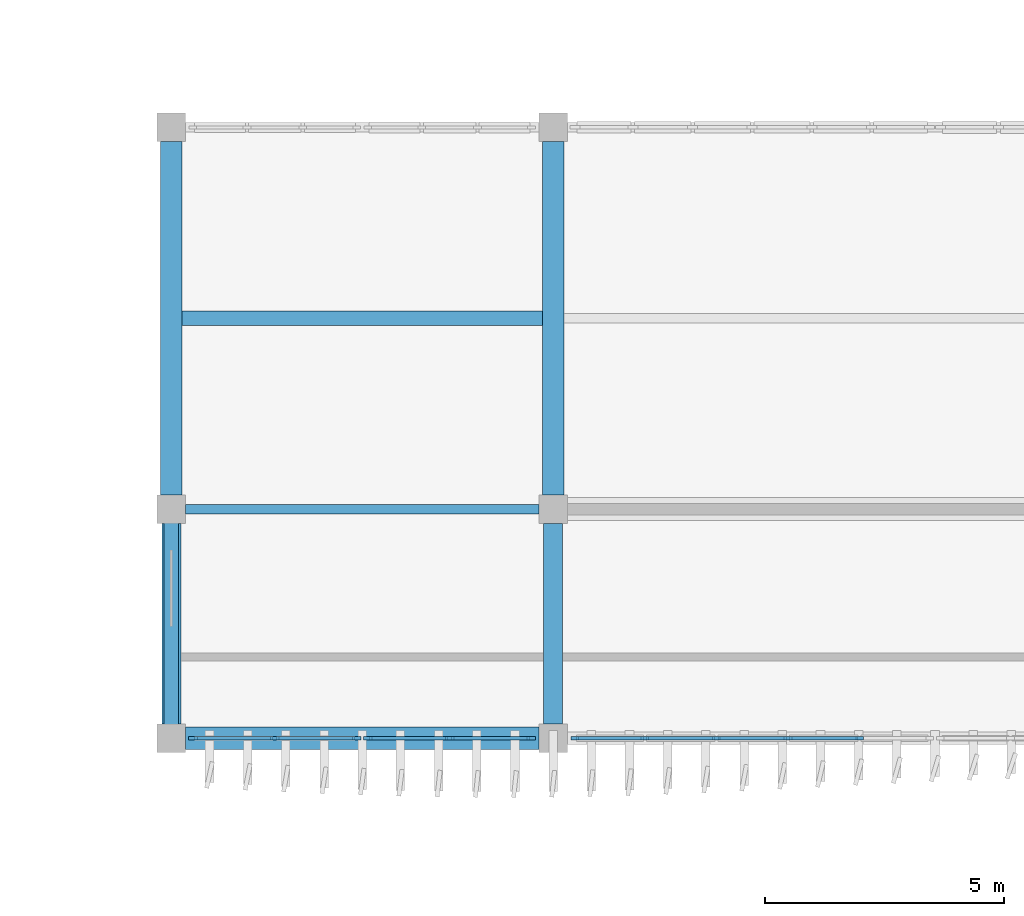
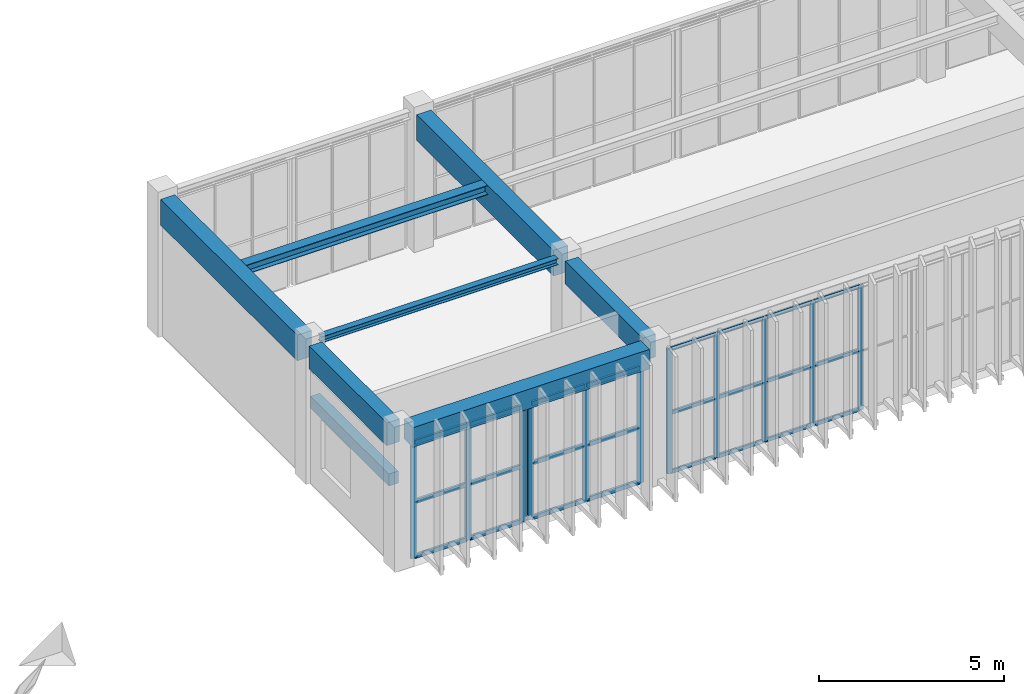
# One storey, part 9 of 64: 35 members, 8 beams, 3 elements without a shape of their own.
"""IFC4 building model written with IfcOpenShell, lengths in metres."""

from ifc_helpers import new_model, si_unit, direction, frame, origin, origin_2d, place, context, subcontext, project, spatial, rectangle, i_section, extrude, material, layer, layer_set, material_profile, profile_set, type_object, element, aggregate, save


model = new_model("IFC4")

# Units and contexts
model_context = context("Model", 3, precision=1e-05, world=origin(), true_north=direction((0.0, 1.0)))
body_context = subcontext(model_context, "Body", "Model", "MODEL_VIEW")
ifc_project = project(units=[si_unit("LENGTHUNIT", "METRE"), si_unit("AREAUNIT", "SQUARE_METRE"), si_unit("VOLUMEUNIT", "CUBIC_METRE"), si_unit("PLANEANGLEUNIT", "RADIAN"), si_unit("MASSUNIT", "GRAM", prefix="KILO")], contexts=[model_context])

# Site, building, storey
site_placement = place(None, origin())
site = spatial("IfcSite", under=ifc_project, at=site_placement, CompositionType="ELEMENT")
building_placement = place(site_placement, origin())
building = spatial("IfcBuilding", under=site, at=building_placement, Name="Cinchona Park Media Centre", CompositionType="ELEMENT")
storey_placement = place(building_placement, frame((0.0, 0.0, 5.39990234375)))
storey = spatial("IfcBuildingStorey", under=building, at=storey_placement, Name="L01", CompositionType="ELEMENT", Elevation=5.39990234375)

# Beams
ifc_material_1 = material(Name="Concrete C35/45", Category="concrete")
ifc_material_profile_1 = material_profile(ifc_material_1, rectangle(XDim=0.39990234375, YDim=0.75, at=origin_2d()), Name="RB 400X750")
ifc_profile_set_1 = profile_set([ifc_material_profile_1], Name="Concrete C35/45")
beam_type_1 = type_object("IfcBeamType", Name="BEAM-B01-RB400X750", PredefinedType="BEAM", material=ifc_profile_set_1)
for number, where, z_axis, x_axis, name in (
    (1, (54.800048828125, 75.10009765625, 4.1650390625), (0.0, 1.0, 0.0), (-1.0, 0.0, 0.0), "Girder B01 L01"),
    (2, (62.800048828125, 75.10009765625, 4.1650390625), (0.0, 1.0, 0.0), (-1.0, 0.0, 0.0), "Girder B01 L01"),
):
    element("IfcBeam", number, at=place(storey_placement, frame(where, z_axis=z_axis, x_axis=x_axis)), inside=storey, type_object=beam_type_1, Name=name, PredefinedType="BEAM", context=body_context, shape_type="SweptSolid", body=[
        extrude(rectangle(XDim=0.39990234375, YDim=0.75, at=origin_2d()), origin(), (0.0, 0.0, 1.0), 4.199951171875),
    ])
ifc_material_2 = material(Name="Concrete C35/45", Category="concrete")
ifc_material_profile_2 = material_profile(ifc_material_2, rectangle(XDim=0.449951171875, YDim=0.85009765625, at=origin_2d()), Name="RB 450X850")
ifc_profile_set_2 = profile_set([ifc_material_profile_2], Name="Concrete C35/45")
beam_type_2 = type_object("IfcBeamType", Name="BEAM-B02-RB450X850", PredefinedType="BEAM", material=ifc_profile_set_2)
for number, where, z_axis, x_axis, name in (
    (3, (54.800048828125, 79.89990234375, 4.114990234375), (0.0, 1.0, 0.0), (-1.0, 0.0, 0.0), "Girder B02 L01"),
    (4, (62.800048828125, 79.89990234375, 4.114990234375), (0.0, 1.0, 0.0), (-1.0, 0.0, 0.0), "Girder B02 L01"),
):
    element("IfcBeam", number, at=place(storey_placement, frame(where, z_axis=z_axis, x_axis=x_axis)), inside=storey, type_object=beam_type_2, Name=name, PredefinedType="BEAM", context=body_context, shape_type="SweptSolid", body=[
        extrude(rectangle(XDim=0.449951171875, YDim=0.85009765625, at=origin_2d()), origin(), (0.0, 0.0, 1.0), 7.400146484375),
    ])
ifc_material_3 = material(Name="Concrete C40/50", Category="concrete")
ifc_material_profile_3 = material_profile(ifc_material_3, rectangle(XDim=0.47998046875, YDim=0.64990234375, at=origin_2d()), Name="RB 480X650")
ifc_profile_set_3 = profile_set([ifc_material_profile_3], Name="Concrete C40/50")
beam_type_3 = type_object("IfcBeamType", Name="BEAM-B07-RB480X650", PredefinedType="BEAM", material=ifc_profile_set_3)
beam_1_placement = place(storey_placement, frame((55.10009765625, 74.800048828125, 4.215087890625), z_axis=(1.0, 0.0, 0.0), x_axis=(0.0, 1.0, 0.0)))
element("IfcBeam", 5, at=beam_1_placement, inside=storey, type_object=beam_type_3, Name="Beam B07 L01", PredefinedType="BEAM", context=body_context, shape_type="SweptSolid", body=[
    extrude(rectangle(XDim=0.47998046875, YDim=0.64990234375, at=origin_2d()), origin(), (0.0, 0.0, 1.0), 7.39990234375),
])
ifc_material_4 = material(Name="Steel S355", Category="steel")
ifc_material_profile_4 = material_profile(ifc_material_4, i_section(OverallWidth=0.202880859375, OverallDepth=0.202880859375, WebThickness=0.007080078125, FlangeThickness=0.010986328125, at=origin_2d()), Name="W200X46")
ifc_profile_set_4 = profile_set([ifc_material_profile_4], Name="Steel S355")
beam_type_4 = type_object("IfcBeamType", Name="BEAM-B10-W200X46", PredefinedType="BEAM", material=ifc_profile_set_4)
beam_2_placement = place(storey_placement, frame((55.10009765625, 79.60009765625, 4.4384765625), z_axis=(1.0, 0.0, 0.0), x_axis=(0.0, 1.0, 0.0)))
element("IfcBeam", 6, at=beam_2_placement, inside=storey, type_object=beam_type_4, Name="Beam B10 L01", PredefinedType="BEAM", context=body_context, shape_type="SweptSolid", body=[
    extrude(i_section(OverallWidth=0.202880859375, OverallDepth=0.202880859375, WebThickness=0.007080078125, FlangeThickness=0.010986328125, at=origin_2d()), origin(), (0.0, 0.0, 1.0), 7.39990234375),
])
ifc_material_5 = material(Name="Steel S355", Category="steel")
ifc_material_profile_5 = material_profile(ifc_material_5, i_section(OverallWidth=0.304931640625, OverallDepth=0.30810546875, WebThickness=0.010009765625, FlangeThickness=0.015380859375, at=origin_2d()), Name="W310X97")
ifc_profile_set_5 = profile_set([ifc_material_profile_5], Name="Steel S355")
beam_type_5 = type_object("IfcBeamType", Name="BEAM-J02-W310X97", PredefinedType="JOIST", material=ifc_profile_set_5)
beam_3_placement = place(storey_placement, frame((55.02490234375, 83.60009765625, 4.385986328125), z_axis=(1.0, 0.0, 0.0), x_axis=(0.0, 1.0, 0.0)))
element("IfcBeam", 7, at=beam_3_placement, inside=storey, type_object=beam_type_5, Name="Floor Joist J02 L01", PredefinedType="JOIST", context=body_context, shape_type="SweptSolid", body=[
    extrude(i_section(OverallWidth=0.304931640625, OverallDepth=0.30810546875, WebThickness=0.010009765625, FlangeThickness=0.015380859375, at=origin_2d()), origin(), (0.0, 0.0, 1.0), 7.550048828125),
])
ifc_material_6 = material(Name="Concrete C35/45", Category="concrete")
ifc_material_profile_6 = material_profile(ifc_material_6, rectangle(XDim=0.300048828125, YDim=0.39990234375, at=origin_2d()), Name="RL 300X400")
ifc_profile_set_6 = profile_set([ifc_material_profile_6], Name="Concrete C35/45")
beam_type_6 = type_object("IfcBeamType", Name="BEAM-LN02-RL300X400", PredefinedType="LINTEL", material=ifc_profile_set_6)
beam_4_placement = place(storey_placement, frame((54.800048828125, 75.080078125, 2.650146484375), z_axis=(0.0, 1.0, 0.0), x_axis=(-1.0, 0.0, 0.0)))
element("IfcBeam", 8, at=beam_4_placement, inside=storey, type_object=beam_type_6, Name="Window Lintel LN02", PredefinedType="LINTEL", context=body_context, shape_type="SweptSolid", body=[
    extrude(rectangle(XDim=0.300048828125, YDim=0.39990234375, at=origin_2d()), origin(), (0.0, 0.0, 1.0), 4.239990234375),
])

# Curtain wall, members
ifc_material_7 = material(Name="Aluminium Curtain Wall Framing", Category="aluminium")
ifc_layer_1 = layer(ifc_material_7, 0.284912109375)
ifc_layer_set_1 = layer_set([ifc_layer_1], Name="Aluminium Curtain Wall Framing")
curtain_wall_type_1 = type_object("IfcCurtainWallType", Name="CW-CW08", PredefinedType="USERDEFINED", material=ifc_layer_set_1)
curtain_wall_1_placement = place(storey_placement, origin())
curtain_wall_1 = element("IfcCurtainWall", 9, at=curtain_wall_1_placement, inside=storey, type_object=curtain_wall_type_1, Name="Curtain Wall CW08 L01", ObjectType="UNITISED CURTAIN WALL", PredefinedType="USERDEFINED")
ifc_material_8 = material(Name="Anodised Aluminium Alloy 6063-T6", Category="aluminium")
ifc_material_profile_7 = material_profile(ifc_material_8, rectangle(XDim=0.06494140625, YDim=0.159912109375, at=origin_2d()), Name="MUL-65X160")
ifc_profile_set_7 = profile_set([ifc_material_profile_7], Name="Anodised Aluminium Alloy 6063-T6")
member_type_1 = type_object("IfcMemberType", Name="MULLION-MUL01", PredefinedType="MULLION", material=ifc_profile_set_7)
member_1_placement = place(storey_placement, frame((69.219970703125, 74.800048828125, 0.050048828125), z_axis=(0.0, 0.0, 1.0), x_axis=(0.0, -1.0, 0.0)))
member_1 = element("IfcMember", 10, at=member_1_placement, type_object=member_type_1, Name="CW08 mullion 2", PredefinedType="MULLION", context=body_context, shape_type="SweptSolid", body=[
    extrude(rectangle(XDim=0.06494140625, YDim=0.159912109375, at=origin_2d()), origin(), (0.0, 0.0, 1.0), 4.126953125),
])
member_2_placement = place(storey_placement, frame((67.719970703125, 74.800048828125, 0.050048828125), z_axis=(0.0, 0.0, 1.0), x_axis=(0.0, -1.0, 0.0)))
member_2 = element("IfcMember", 11, at=member_2_placement, type_object=member_type_1, Name="CW08 mullion 3", PredefinedType="MULLION", context=body_context, shape_type="SweptSolid", body=[
    extrude(rectangle(XDim=0.06494140625, YDim=0.159912109375, at=origin_2d()), origin(), (0.0, 0.0, 1.0), 4.126953125),
])
member_3_placement = place(storey_placement, frame((66.219970703125, 74.800048828125, 0.050048828125), z_axis=(0.0, 0.0, 1.0), x_axis=(0.0, -1.0, 0.0)))
member_3 = element("IfcMember", 12, at=member_3_placement, type_object=member_type_1, Name="CW08 mullion 4", PredefinedType="MULLION", context=body_context, shape_type="SweptSolid", body=[
    extrude(rectangle(XDim=0.06494140625, YDim=0.159912109375, at=origin_2d()), origin(), (0.0, 0.0, 1.0), 4.126953125),
])
member_4_placement = place(storey_placement, frame((64.719970703125, 74.800048828125, 0.050048828125), z_axis=(0.0, 0.0, 1.0), x_axis=(0.0, -1.0, 0.0)))
member_4 = element("IfcMember", 13, at=member_4_placement, type_object=member_type_1, Name="CW08 mullion 5", PredefinedType="MULLION", context=body_context, shape_type="SweptSolid", body=[
    extrude(rectangle(XDim=0.06494140625, YDim=0.159912109375, at=origin_2d()), origin(), (0.0, 0.0, 1.0), 4.126953125),
])
member_5_placement = place(storey_placement, frame((63.25244140625, 74.800048828125, 0.050048828125), z_axis=(0.0, 0.0, 1.0), x_axis=(0.0, -1.0, 0.0)))
member_5 = element("IfcMember", 14, at=member_5_placement, type_object=member_type_1, Name="CW08 mullion 6", PredefinedType="MULLION", context=body_context, shape_type="SweptSolid", body=[
    extrude(rectangle(XDim=0.06494140625, YDim=0.159912109375, at=origin_2d()), origin(), (0.0, 0.0, 1.0), 4.126953125),
])

ifc_material_9 = material(Name="Aluminium Curtain Wall Framing", Category="aluminium")
ifc_layer_2 = layer(ifc_material_9, 0.239990234375)
ifc_layer_set_2 = layer_set([ifc_layer_2], Name="Aluminium Curtain Wall Framing")
curtain_wall_type_2 = type_object("IfcCurtainWallType", Name="CW-CW05", PredefinedType="USERDEFINED", material=ifc_layer_set_2)
curtain_wall_2_placement = place(storey_placement, origin())
curtain_wall_2 = element("IfcCurtainWall", 15, at=curtain_wall_2_placement, inside=storey, type_object=curtain_wall_type_2, Name="Curtain Wall CW05 L01", ObjectType="UNITISED CURTAIN WALL", PredefinedType="USERDEFINED")
ifc_material_10 = material(Name="Anodised Aluminium Alloy 6063-T6", Category="aluminium")
ifc_material_profile_8 = material_profile(ifc_material_10, rectangle(XDim=0.070068359375, YDim=0.179931640625, at=origin_2d()), Name="MUL-70X180")
ifc_profile_set_8 = profile_set([ifc_material_profile_8], Name="Anodised Aluminium Alloy 6063-T6")
member_type_2 = type_object("IfcMemberType", Name="MULLION-MUL02", PredefinedType="MULLION", material=ifc_profile_set_8)
member_6_placement = place(storey_placement, frame((62.344970703125, 74.800048828125, 0.050048828125), z_axis=(0.0, 0.0, 1.0), x_axis=(0.0, -1.0, 0.0)))
member_6 = element("IfcMember", 16, at=member_6_placement, type_object=member_type_2, Name="CW05 mullion 1", PredefinedType="MULLION", context=body_context, shape_type="SweptSolid", body=[
    extrude(rectangle(XDim=0.070068359375, YDim=0.179931640625, at=origin_2d()), origin(), (0.0, 0.0, 1.0), 3.840087890625),
])
member_7_placement = place(storey_placement, frame((60.6298828125, 74.800048828125, 0.050048828125), z_axis=(0.0, 0.0, 1.0), x_axis=(0.0, -1.0, 0.0)))
member_7 = element("IfcMember", 17, at=member_7_placement, type_object=member_type_2, Name="CW05 mullion 2", PredefinedType="MULLION", context=body_context, shape_type="SweptSolid", body=[
    extrude(rectangle(XDim=0.070068359375, YDim=0.179931640625, at=origin_2d()), origin(), (0.0, 0.0, 1.0), 3.840087890625),
])
member_8_placement = place(storey_placement, frame((58.9150390625, 74.800048828125, 0.050048828125), z_axis=(0.0, 0.0, 1.0), x_axis=(0.0, -1.0, 0.0)))
member_8 = element("IfcMember", 18, at=member_8_placement, type_object=member_type_2, Name="CW05 mullion 3", PredefinedType="MULLION", context=body_context, shape_type="SweptSolid", body=[
    extrude(rectangle(XDim=0.070068359375, YDim=0.179931640625, at=origin_2d()), origin(), (0.0, 0.0, 1.0), 3.840087890625),
])

ifc_material_11 = material(Name="Aluminium Curtain Wall Framing", Category="aluminium")
ifc_layer_3 = layer(ifc_material_11, 0.2548828125)
ifc_layer_set_3 = layer_set([ifc_layer_3], Name="Aluminium Curtain Wall Framing")
curtain_wall_type_3 = type_object("IfcCurtainWallType", Name="CW-CW06", PredefinedType="USERDEFINED", material=ifc_layer_set_3)
curtain_wall_3_placement = place(storey_placement, origin())
curtain_wall_3 = element("IfcCurtainWall", 19, at=curtain_wall_3_placement, inside=storey, type_object=curtain_wall_type_3, Name="Curtain Wall CW06 L01", ObjectType="UNITISED CURTAIN WALL", PredefinedType="USERDEFINED")
member_9_placement = place(storey_placement, frame((58.68505859375, 74.800048828125, 0.050048828125), z_axis=(0.0, 0.0, 1.0), x_axis=(0.0, -1.0, 0.0)))
member_9 = element("IfcMember", 20, at=member_9_placement, type_object=member_type_2, Name="CW06 mullion 1", PredefinedType="MULLION", context=body_context, shape_type="SweptSolid", body=[
    extrude(rectangle(XDim=0.070068359375, YDim=0.179931640625, at=origin_2d()), origin(), (0.0, 0.0, 1.0), 3.840087890625),
])
member_10_placement = place(storey_placement, frame((56.969970703125, 74.800048828125, 0.050048828125), z_axis=(0.0, 0.0, 1.0), x_axis=(0.0, -1.0, 0.0)))
member_10 = element("IfcMember", 21, at=member_10_placement, type_object=member_type_2, Name="CW06 mullion 2", PredefinedType="MULLION", context=body_context, shape_type="SweptSolid", body=[
    extrude(rectangle(XDim=0.070068359375, YDim=0.179931640625, at=origin_2d()), origin(), (0.0, 0.0, 1.0), 3.840087890625),
])
member_11_placement = place(storey_placement, frame((55.2548828125, 74.800048828125, 0.050048828125), z_axis=(0.0, 0.0, 1.0), x_axis=(0.0, -1.0, 0.0)))
member_11 = element("IfcMember", 22, at=member_11_placement, type_object=member_type_2, Name="CW06 mullion 3", PredefinedType="MULLION", context=body_context, shape_type="SweptSolid", body=[
    extrude(rectangle(XDim=0.070068359375, YDim=0.179931640625, at=origin_2d()), origin(), (0.0, 0.0, 1.0), 3.840087890625),
])

# Member
ifc_material_12 = material(Name="Anodised Aluminium Alloy 6063-T6", Category="aluminium")
ifc_material_profile_9 = material_profile(ifc_material_12, rectangle(XDim=0.06494140625, YDim=0.1201171875, at=origin_2d()), Name="TRN-65X120")
ifc_profile_set_9 = profile_set([ifc_material_profile_9], Name="Anodised Aluminium Alloy 6063-T6")
member_type_3 = type_object("IfcMemberType", Name="TRANSOM-TRN01", PredefinedType="USERDEFINED", material=ifc_profile_set_9)
member_12_placement = place(storey_placement, frame((69.1875, 74.800048828125, 0.08251953125), z_axis=(-1.0, 0.0, 0.0), x_axis=(0.0, -1.0, 0.0)))
member_12 = element("IfcMember", 23, at=member_12_placement, type_object=member_type_3, Name="CW08 transom 2.1", ObjectType="TRANSOM", PredefinedType="USERDEFINED", context=body_context, shape_type="SweptSolid", body=[
    extrude(rectangle(XDim=0.06494140625, YDim=0.1201171875, at=origin_2d()), origin(), (0.0, 0.0, 1.0), 1.43505859375),
])

member_13_placement = place(storey_placement, frame((69.1875, 74.800048828125, 2.031005859375), z_axis=(-1.0, 0.0, 0.0), x_axis=(0.0, -1.0, 0.0)))
member_13 = element("IfcMember", 24, at=member_13_placement, type_object=member_type_3, Name="CW08 transom 2.2", ObjectType="TRANSOM", PredefinedType="USERDEFINED", context=body_context, shape_type="SweptSolid", body=[
    extrude(rectangle(XDim=0.06494140625, YDim=0.1201171875, at=origin_2d()), origin(), (0.0, 0.0, 1.0), 1.43505859375),
])

member_14_placement = place(storey_placement, frame((69.1875, 74.800048828125, 4.14453125), z_axis=(-1.0, 0.0, 0.0), x_axis=(0.0, -1.0, 0.0)))
member_14 = element("IfcMember", 25, at=member_14_placement, type_object=member_type_3, Name="CW08 transom 2.3", ObjectType="TRANSOM", PredefinedType="USERDEFINED", context=body_context, shape_type="SweptSolid", body=[
    extrude(rectangle(XDim=0.06494140625, YDim=0.1201171875, at=origin_2d()), origin(), (0.0, 0.0, 1.0), 1.43505859375),
])

member_15_placement = place(storey_placement, frame((67.6875, 74.800048828125, 0.08251953125), z_axis=(-1.0, 0.0, 0.0), x_axis=(0.0, -1.0, 0.0)))
member_15 = element("IfcMember", 26, at=member_15_placement, type_object=member_type_3, Name="CW08 transom 3.1", ObjectType="TRANSOM", PredefinedType="USERDEFINED", context=body_context, shape_type="SweptSolid", body=[
    extrude(rectangle(XDim=0.06494140625, YDim=0.1201171875, at=origin_2d()), origin(), (0.0, 0.0, 1.0), 1.43505859375),
])

member_16_placement = place(storey_placement, frame((67.6875, 74.800048828125, 2.031005859375), z_axis=(-1.0, 0.0, 0.0), x_axis=(0.0, -1.0, 0.0)))
member_16 = element("IfcMember", 27, at=member_16_placement, type_object=member_type_3, Name="CW08 transom 3.2", ObjectType="TRANSOM", PredefinedType="USERDEFINED", context=body_context, shape_type="SweptSolid", body=[
    extrude(rectangle(XDim=0.06494140625, YDim=0.1201171875, at=origin_2d()), origin(), (0.0, 0.0, 1.0), 1.43505859375),
])

member_17_placement = place(storey_placement, frame((67.6875, 74.800048828125, 4.14453125), z_axis=(-1.0, 0.0, 0.0), x_axis=(0.0, -1.0, 0.0)))
member_17 = element("IfcMember", 28, at=member_17_placement, type_object=member_type_3, Name="CW08 transom 3.3", ObjectType="TRANSOM", PredefinedType="USERDEFINED", context=body_context, shape_type="SweptSolid", body=[
    extrude(rectangle(XDim=0.06494140625, YDim=0.1201171875, at=origin_2d()), origin(), (0.0, 0.0, 1.0), 1.43505859375),
])

member_18_placement = place(storey_placement, frame((66.1875, 74.800048828125, 0.08251953125), z_axis=(-1.0, 0.0, 0.0), x_axis=(0.0, -1.0, 0.0)))
member_18 = element("IfcMember", 29, at=member_18_placement, type_object=member_type_3, Name="CW08 transom 4.1", ObjectType="TRANSOM", PredefinedType="USERDEFINED", context=body_context, shape_type="SweptSolid", body=[
    extrude(rectangle(XDim=0.06494140625, YDim=0.1201171875, at=origin_2d()), origin(), (0.0, 0.0, 1.0), 1.43505859375),
])

member_19_placement = place(storey_placement, frame((66.1875, 74.800048828125, 2.031005859375), z_axis=(-1.0, 0.0, 0.0), x_axis=(0.0, -1.0, 0.0)))
member_19 = element("IfcMember", 30, at=member_19_placement, type_object=member_type_3, Name="CW08 transom 4.2", ObjectType="TRANSOM", PredefinedType="USERDEFINED", context=body_context, shape_type="SweptSolid", body=[
    extrude(rectangle(XDim=0.06494140625, YDim=0.1201171875, at=origin_2d()), origin(), (0.0, 0.0, 1.0), 1.43505859375),
])

member_20_placement = place(storey_placement, frame((66.1875, 74.800048828125, 4.14453125), z_axis=(-1.0, 0.0, 0.0), x_axis=(0.0, -1.0, 0.0)))
member_20 = element("IfcMember", 31, at=member_20_placement, type_object=member_type_3, Name="CW08 transom 4.3", ObjectType="TRANSOM", PredefinedType="USERDEFINED", context=body_context, shape_type="SweptSolid", body=[
    extrude(rectangle(XDim=0.06494140625, YDim=0.1201171875, at=origin_2d()), origin(), (0.0, 0.0, 1.0), 1.43505859375),
])

member_21_placement = place(storey_placement, frame((64.6875, 74.800048828125, 0.08251953125), z_axis=(-1.0, 0.0, 0.0), x_axis=(0.0, -1.0, 0.0)))
member_21 = element("IfcMember", 32, at=member_21_placement, type_object=member_type_3, Name="CW08 transom 5.1", ObjectType="TRANSOM", PredefinedType="USERDEFINED", context=body_context, shape_type="SweptSolid", body=[
    extrude(rectangle(XDim=0.06494140625, YDim=0.1201171875, at=origin_2d()), origin(), (0.0, 0.0, 1.0), 1.402587890625),
])

member_22_placement = place(storey_placement, frame((64.6875, 74.800048828125, 2.031005859375), z_axis=(-1.0, 0.0, 0.0), x_axis=(0.0, -1.0, 0.0)))
member_22 = element("IfcMember", 33, at=member_22_placement, type_object=member_type_3, Name="CW08 transom 5.2", ObjectType="TRANSOM", PredefinedType="USERDEFINED", context=body_context, shape_type="SweptSolid", body=[
    extrude(rectangle(XDim=0.06494140625, YDim=0.1201171875, at=origin_2d()), origin(), (0.0, 0.0, 1.0), 1.402587890625),
])

member_23_placement = place(storey_placement, frame((64.6875, 74.800048828125, 4.14453125), z_axis=(-1.0, 0.0, 0.0), x_axis=(0.0, -1.0, 0.0)))
member_23 = element("IfcMember", 34, at=member_23_placement, type_object=member_type_3, Name="CW08 transom 5.3", ObjectType="TRANSOM", PredefinedType="USERDEFINED", context=body_context, shape_type="SweptSolid", body=[
    extrude(rectangle(XDim=0.06494140625, YDim=0.1201171875, at=origin_2d()), origin(), (0.0, 0.0, 1.0), 1.402587890625),
])

aggregate(curtain_wall_1, [member_1, member_2, member_3, member_4, member_5, member_12, member_13, member_14, member_15, member_16, member_17, member_18, member_19, member_20, member_21, member_22, member_23])

ifc_material_13 = material(Name="Anodised Aluminium Alloy 6063-T6", Category="aluminium")
ifc_material_profile_10 = material_profile(ifc_material_13, rectangle(XDim=0.070068359375, YDim=0.139892578125, at=origin_2d()), Name="TRN-70X140")
ifc_profile_set_10 = profile_set([ifc_material_profile_10], Name="Anodised Aluminium Alloy 6063-T6")
member_type_4 = type_object("IfcMemberType", Name="TRANSOM-TRN02", PredefinedType="USERDEFINED", material=ifc_profile_set_10)
member_24_placement = place(storey_placement, frame((62.31005859375, 74.800048828125, 0.085205078125), z_axis=(-1.0, 0.0, 0.0), x_axis=(0.0, -1.0, 0.0)))
member_24 = element("IfcMember", 35, at=member_24_placement, type_object=member_type_4, Name="CW05 transom 1.1", ObjectType="TRANSOM", PredefinedType="USERDEFINED", context=body_context, shape_type="SweptSolid", body=[
    extrude(rectangle(XDim=0.070068359375, YDim=0.139892578125, at=origin_2d()), origin(), (0.0, 0.0, 1.0), 1.64501953125),
])

member_25_placement = place(storey_placement, frame((62.31005859375, 74.800048828125, 1.89306640625), z_axis=(-1.0, 0.0, 0.0), x_axis=(0.0, -1.0, 0.0)))
member_25 = element("IfcMember", 36, at=member_25_placement, type_object=member_type_4, Name="CW05 transom 1.2", ObjectType="TRANSOM", PredefinedType="USERDEFINED", context=body_context, shape_type="SweptSolid", body=[
    extrude(rectangle(XDim=0.070068359375, YDim=0.139892578125, at=origin_2d()), origin(), (0.0, 0.0, 1.0), 1.64501953125),
])

member_26_placement = place(storey_placement, frame((62.31005859375, 74.800048828125, 3.85498046875), z_axis=(-1.0, 0.0, 0.0), x_axis=(0.0, -1.0, 0.0)))
member_26 = element("IfcMember", 37, at=member_26_placement, type_object=member_type_4, Name="CW05 transom 1.3", ObjectType="TRANSOM", PredefinedType="USERDEFINED", context=body_context, shape_type="SweptSolid", body=[
    extrude(rectangle(XDim=0.070068359375, YDim=0.139892578125, at=origin_2d()), origin(), (0.0, 0.0, 1.0), 1.64501953125),
])

member_27_placement = place(storey_placement, frame((60.594970703125, 74.800048828125, 0.085205078125), z_axis=(-1.0, 0.0, 0.0), x_axis=(0.0, -1.0, 0.0)))
member_27 = element("IfcMember", 38, at=member_27_placement, type_object=member_type_4, Name="CW05 transom 2.1", ObjectType="TRANSOM", PredefinedType="USERDEFINED", context=body_context, shape_type="SweptSolid", body=[
    extrude(rectangle(XDim=0.070068359375, YDim=0.139892578125, at=origin_2d()), origin(), (0.0, 0.0, 1.0), 1.64501953125),
])

member_28_placement = place(storey_placement, frame((60.594970703125, 74.800048828125, 1.89306640625), z_axis=(-1.0, 0.0, 0.0), x_axis=(0.0, -1.0, 0.0)))
member_28 = element("IfcMember", 39, at=member_28_placement, type_object=member_type_4, Name="CW05 transom 2.2", ObjectType="TRANSOM", PredefinedType="USERDEFINED", context=body_context, shape_type="SweptSolid", body=[
    extrude(rectangle(XDim=0.070068359375, YDim=0.139892578125, at=origin_2d()), origin(), (0.0, 0.0, 1.0), 1.64501953125),
])

member_29_placement = place(storey_placement, frame((60.594970703125, 74.800048828125, 3.85498046875), z_axis=(-1.0, 0.0, 0.0), x_axis=(0.0, -1.0, 0.0)))
member_29 = element("IfcMember", 40, at=member_29_placement, type_object=member_type_4, Name="CW05 transom 2.3", ObjectType="TRANSOM", PredefinedType="USERDEFINED", context=body_context, shape_type="SweptSolid", body=[
    extrude(rectangle(XDim=0.070068359375, YDim=0.139892578125, at=origin_2d()), origin(), (0.0, 0.0, 1.0), 1.64501953125),
])

aggregate(curtain_wall_2, [member_6, member_7, member_8, member_24, member_25, member_26, member_27, member_28, member_29])

member_30_placement = place(storey_placement, frame((58.64990234375, 74.800048828125, 0.085205078125), z_axis=(-1.0, 0.0, 0.0), x_axis=(0.0, -1.0, 0.0)))
member_30 = element("IfcMember", 41, at=member_30_placement, type_object=member_type_4, Name="CW06 transom 1.1", ObjectType="TRANSOM", PredefinedType="USERDEFINED", context=body_context, shape_type="SweptSolid", body=[
    extrude(rectangle(XDim=0.070068359375, YDim=0.139892578125, at=origin_2d()), origin(), (0.0, 0.0, 1.0), 1.64501953125),
])

member_31_placement = place(storey_placement, frame((58.64990234375, 74.800048828125, 1.89306640625), z_axis=(-1.0, 0.0, 0.0), x_axis=(0.0, -1.0, 0.0)))
member_31 = element("IfcMember", 42, at=member_31_placement, type_object=member_type_4, Name="CW06 transom 1.2", ObjectType="TRANSOM", PredefinedType="USERDEFINED", context=body_context, shape_type="SweptSolid", body=[
    extrude(rectangle(XDim=0.070068359375, YDim=0.139892578125, at=origin_2d()), origin(), (0.0, 0.0, 1.0), 1.64501953125),
])

member_32_placement = place(storey_placement, frame((58.64990234375, 74.800048828125, 3.85498046875), z_axis=(-1.0, 0.0, 0.0), x_axis=(0.0, -1.0, 0.0)))
member_32 = element("IfcMember", 43, at=member_32_placement, type_object=member_type_4, Name="CW06 transom 1.3", ObjectType="TRANSOM", PredefinedType="USERDEFINED", context=body_context, shape_type="SweptSolid", body=[
    extrude(rectangle(XDim=0.070068359375, YDim=0.139892578125, at=origin_2d()), origin(), (0.0, 0.0, 1.0), 1.64501953125),
])

member_33_placement = place(storey_placement, frame((56.93505859375, 74.800048828125, 0.085205078125), z_axis=(-1.0, 0.0, 0.0), x_axis=(0.0, -1.0, 0.0)))
member_33 = element("IfcMember", 44, at=member_33_placement, type_object=member_type_4, Name="CW06 transom 2.1", ObjectType="TRANSOM", PredefinedType="USERDEFINED", context=body_context, shape_type="SweptSolid", body=[
    extrude(rectangle(XDim=0.070068359375, YDim=0.139892578125, at=origin_2d()), origin(), (0.0, 0.0, 1.0), 1.64501953125),
])

member_34_placement = place(storey_placement, frame((56.93505859375, 74.800048828125, 1.89306640625), z_axis=(-1.0, 0.0, 0.0), x_axis=(0.0, -1.0, 0.0)))
member_34 = element("IfcMember", 45, at=member_34_placement, type_object=member_type_4, Name="CW06 transom 2.2", ObjectType="TRANSOM", PredefinedType="USERDEFINED", context=body_context, shape_type="SweptSolid", body=[
    extrude(rectangle(XDim=0.070068359375, YDim=0.139892578125, at=origin_2d()), origin(), (0.0, 0.0, 1.0), 1.64501953125),
])

member_35_placement = place(storey_placement, frame((56.93505859375, 74.800048828125, 3.85498046875), z_axis=(-1.0, 0.0, 0.0), x_axis=(0.0, -1.0, 0.0)))
member_35 = element("IfcMember", 46, at=member_35_placement, type_object=member_type_4, Name="CW06 transom 2.3", ObjectType="TRANSOM", PredefinedType="USERDEFINED", context=body_context, shape_type="SweptSolid", body=[
    extrude(rectangle(XDim=0.070068359375, YDim=0.139892578125, at=origin_2d()), origin(), (0.0, 0.0, 1.0), 1.64501953125),
])

aggregate(curtain_wall_3, [member_9, member_10, member_11, member_30, member_31, member_32, member_33, member_34, member_35])

save(model, "model.ifc")
